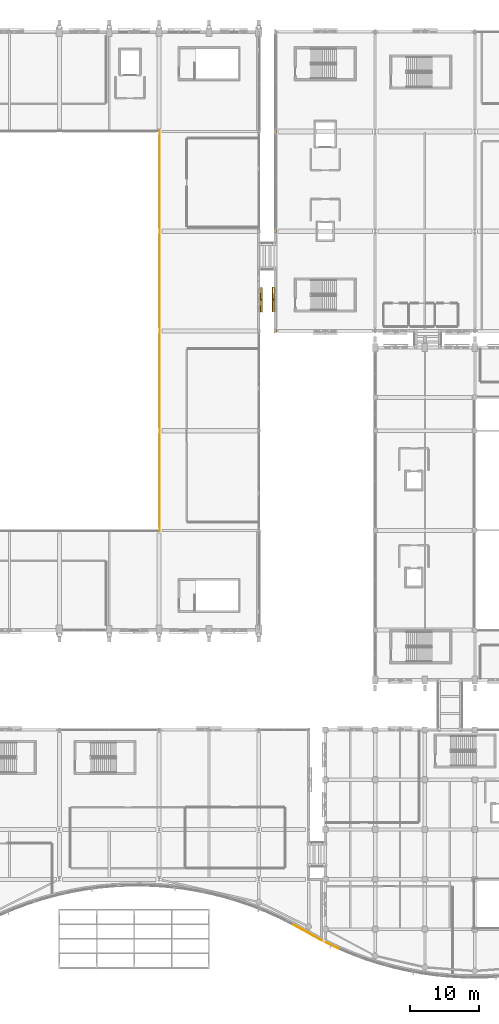
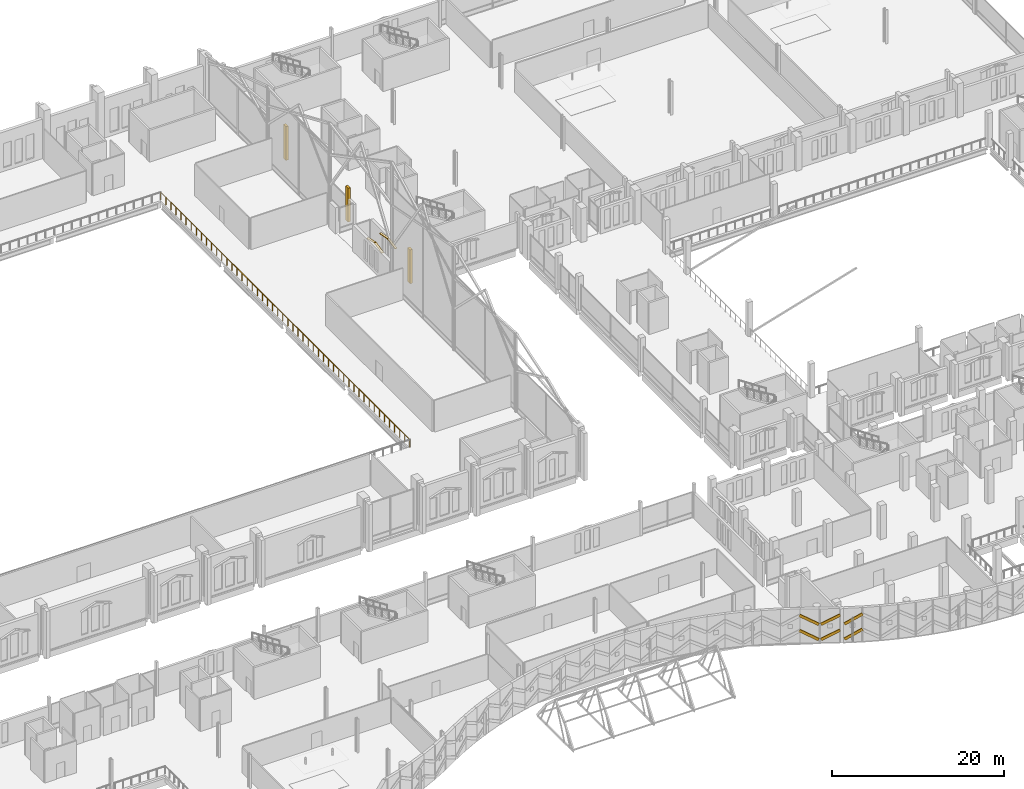
# One storey, part 203 of 220: 13 coverings, 1 railing.
"""IFC4 building model written with IfcOpenShell, lengths in metres."""

from ifc_helpers import new_model, si_unit, direction, frame, origin, origin_2d, place, context, subcontext, project, spatial, polyline, circle, outline, extrude, material, layer, layer_set, type_object, element, save


model = new_model("IFC4")

# Units and contexts
model_context = context("Model", 3, precision=1e-05, world=origin(), true_north=direction((0.0, 1.0)))
body_context = subcontext(model_context, "Body", "Model", "MODEL_VIEW")
ifc_project = project(units=[si_unit("LENGTHUNIT", "METRE"), si_unit("AREAUNIT", "SQUARE_METRE"), si_unit("VOLUMEUNIT", "CUBIC_METRE"), si_unit("PLANEANGLEUNIT", "RADIAN"), si_unit("MASSUNIT", "GRAM", prefix="KILO")], contexts=[model_context])

# Site, building, storey
site_placement = place(None, origin())
site = spatial("IfcSite", under=ifc_project, at=site_placement, CompositionType="ELEMENT")
building_placement = place(site_placement, origin())
building = spatial("IfcBuilding", under=site, at=building_placement, Name="Cendralis Lancet Convention Centre", CompositionType="ELEMENT")
storey_placement = place(building_placement, frame((0.0, 0.0, 5.39990234375)))
storey = spatial("IfcBuildingStorey", under=building, at=storey_placement, Name="L01", CompositionType="ELEMENT", Elevation=5.39990234375)

# Coverings
ifc_material_1 = material(Name="Warm buff sandstone chevron cassette", Category="masonry")
ifc_layer_1 = layer(ifc_material_1, 0.06005859375, Name="Warm buff sandstone chevron cassette")
ifc_layer_set_1 = layer_set([ifc_layer_1], Name="Warm buff sandstone chevron cassette")
covering_type_1 = type_object("IfcCoveringType", Name="ARC-CV-CLAD1", PredefinedType="CLADDING", material=ifc_layer_set_1)
covering_1_placement = place(storey_placement, frame((127.493896484375, 7.744873046875, 1.9501953125), z_axis=(0.43519160161, -0.24701564122, 0.86578954884), x_axis=(0.752668265034, -0.427880952395, -0.500408206756)))
element("IfcCovering", 1, at=covering_1_placement, inside=storey, type_object=covering_type_1, Name="L01 Diagonal Stone Chevron Relief CL-ST1 #0379", PredefinedType="CLADDING", context=body_context, shape_type="SweptSolid", body=[
    extrude(outline(polyline([(0.0, 0.0), (2.597884719698433, -4.85722573273506e-17), (2.5979129642696104, 0.11010524008823802), (-0.00015551232946595106, 0.10998461911392274), (0.0, 0.0)])), origin(), (0.0, 0.0, -1.0), 0.360107421875),
])
covering_2_placement = place(storey_placement, frame((129.523681640625, 6.592041015625, 0.650146484375), z_axis=(-0.443383844109, 0.240726076979, 0.8634012524), x_axis=(0.758529479804, -0.412425534048, 0.504517796647)))
element("IfcCovering", 2, at=covering_2_placement, inside=storey, type_object=covering_type_1, Name="L01 Diagonal Stone Chevron Relief CL-ST1 #0385", PredefinedType="CLADDING", context=body_context, shape_type="SweptSolid", body=[
    extrude(outline(polyline([(0.0, 0.0), (2.576814607462595, -5.898059818321144e-17), (2.57675682588909, 0.11000992383021563), (-5.7781573504639416e-05, 0.11000992383021567), (0.0, 0.0)])), origin(), (0.0, 0.0, -1.0), 0.360107421875),
])
covering_3_placement = place(storey_placement, frame((131.922607421875, 5.303466796875, 0.650146484375), z_axis=(-0.475722680039, 0.225588396185, 0.85017516266), x_axis=(0.768146115282, -0.364347848476, 0.526499943863)))
element("IfcCovering", 3, at=covering_3_placement, inside=storey, type_object=covering_type_1, Name="L01 Diagonal Stone Chevron Relief CL-ST1 #0391", PredefinedType="CLADDING", context=body_context, shape_type="SweptSolid", body=[
    extrude(outline(polyline([(0.0, 0.0), (2.469228806721707, -3.105561597813167e-17), (2.46921968219033, 0.10997119228407112), (-9.124531377482925e-06, 0.1099711922840711), (0.0, 0.0)])), origin(), (0.0, 0.0, -1.0), 0.360107421875),
])
for number, where, z_axis, x_axis, name in (
    (4, (122.8701171875, 99.852783203125, 3.27001953125), (0.0, 0.214866981087, 0.97664332304), (-1.0, 0.0, 0.0), "L01 Gothic Pointed Lancet Hood-Mould #0071L"),
    (5, (122.8701171875, 98.0830078125, 3.655029296875), (0.0, -0.214866981087, 0.97664332304), (-1.0, 0.0, 0.0), "L01 Gothic Pointed Lancet Hood-Mould #0072R"),
):
    element("IfcCovering", number, at=place(storey_placement, frame(where, z_axis=z_axis, x_axis=x_axis)), inside=storey, type_object=covering_type_1, Name=name, PredefinedType="CLADDING", context=body_context, shape_type="SweptSolid", body=[
        extrude(outline(polyline([(0.0, 0.0), (0.28515625, 0.0), (0.28515625, 1.7918517013488082), (0.0, 1.7918517013488082), (0.0, 0.0)])), origin(), (0.0, 0.0, -1.0), 0.090087890625),
    ])
covering_4_placement = place(storey_placement, frame((124.360107421875, 96.341552734375, 3.27001953125), z_axis=(0.0, -0.183932374671, 0.982938900211), x_axis=(1.0, 0.0, 0.0)))
element("IfcCovering", 6, at=covering_4_placement, inside=storey, type_object=covering_type_1, Name="L01 Gothic Pointed Lancet Hood-Mould #0203L", PredefinedType="CLADDING", context=body_context, shape_type="SweptSolid", body=[
    extrude(outline(polyline([(0.0, 0.0), (0.284912109375, 0.0), (0.284912109375, 1.8211091880847667), (0.0, 1.8211091880847667), (0.0, 0.0)])), origin(), (0.0, 0.0, -1.0), 0.090087890625),
])
covering_5_placement = place(storey_placement, frame((124.360107421875, 98.151611328125, 3.60498046875), z_axis=(0.0, 0.183956615362, 0.982934363864), x_axis=(1.0, 0.0, 0.0)))
element("IfcCovering", 7, at=covering_5_placement, inside=storey, type_object=covering_type_1, Name="L01 Gothic Pointed Lancet Hood-Mould #0204R", PredefinedType="CLADDING", context=body_context, shape_type="SweptSolid", body=[
    extrude(outline(polyline([(0.0, 0.0), (0.284912109375, 0.0), (0.284912109375, 1.8208692133210493), (0.0, 1.8208692133210493), (0.0, 0.0)])), origin(), (0.0, 0.0, -1.0), 0.090087890625),
])
covering_6_placement = place(storey_placement, origin())
element("IfcCovering", 8, at=covering_6_placement, inside=storey, type_object=covering_type_1, Name="Exterior Column Stone Fire-Casing L01 #033", PredefinedType="CLADDING", context=body_context, shape_type="SweptSolid", body=[
    extrude(outline(polyline([(124.637939453125, 93.31298828125), (124.9619140625, 93.31298828125), (124.9619140625, 93.886962890625), (124.637939453125, 93.886962890625), (124.637939453125, 93.31298828125)])), origin(), (0.0, 0.0, 1.0), 4.800048828125),
])
covering_7_placement = place(storey_placement, origin())
element("IfcCovering", 9, at=covering_7_placement, inside=storey, type_object=covering_type_1, Name="Exterior Column Stone Fire-Casing L01 #036", PredefinedType="CLADDING", context=body_context, shape_type="SweptSolid", body=[
    extrude(outline(polyline([(124.637939453125, 107.712890625), (124.9619140625, 107.712890625), (124.9619140625, 108.287109375), (124.637939453125, 108.287109375), (124.637939453125, 107.712890625)])), origin(), (0.0, 0.0, 1.0), 4.800048828125),
])
covering_8_placement = place(storey_placement, origin())
element("IfcCovering", 10, at=covering_8_placement, inside=storey, type_object=covering_type_1, Name="Exterior Column Stone Fire-Casing L01 #039", PredefinedType="CLADDING", context=body_context, shape_type="SweptSolid", body=[
    extrude(outline(polyline([(124.637939453125, 122.113037109375), (124.9619140625, 122.113037109375), (124.9619140625, 122.68701171875), (124.637939453125, 122.68701171875), (124.637939453125, 122.113037109375)])), origin(), (0.0, 0.0, 1.0), 4.800048828125),
])
ifc_material_2 = material(Name="Dark Andean slate chevron cassette", Category="masonry")
ifc_layer_2 = layer(ifc_material_2, 0.06005859375, Name="Dark Andean slate chevron cassette")
ifc_layer_set_2 = layer_set([ifc_layer_2], Name="Dark Andean slate chevron cassette")
covering_type_2 = type_object("IfcCoveringType", Name="ARC-CV-CLAD2", PredefinedType="CLADDING", material=ifc_layer_set_2)
covering_9_placement = place(storey_placement, frame((127.493896484375, 7.744873046875, 4.10009765625), z_axis=(0.43519160161, -0.24701564122, 0.86578954884), x_axis=(0.752668265034, -0.427880952395, -0.500408206756)))
element("IfcCovering", 11, at=covering_9_placement, inside=storey, type_object=covering_type_2, Name="L01 Diagonal Stone Chevron Relief CL-ST2 #0380", PredefinedType="CLADDING", context=body_context, shape_type="SweptSolid", body=[
    extrude(outline(polyline([(0.0, 0.0), (2.597884719698433, -4.85722573273506e-17), (2.5979129642696104, 0.11010524008823802), (-0.00015551232946595106, 0.10998461911392274), (0.0, 0.0)])), origin(), (0.0, 0.0, -1.0), 0.360107421875),
])
covering_10_placement = place(storey_placement, frame((129.523681640625, 6.592041015625, 2.800048828125), z_axis=(-0.443383844109, 0.240726076979, 0.8634012524), x_axis=(0.758529479804, -0.412425534048, 0.504517796647)))
element("IfcCovering", 12, at=covering_10_placement, inside=storey, type_object=covering_type_2, Name="L01 Diagonal Stone Chevron Relief CL-ST2 #0386", PredefinedType="CLADDING", context=body_context, shape_type="SweptSolid", body=[
    extrude(outline(polyline([(0.0, 0.0), (2.576814607462595, -5.898059818321144e-17), (2.57675682588909, 0.11000992383021563), (-5.7781573504639416e-05, 0.11000992383021567), (0.0, 0.0)])), origin(), (0.0, 0.0, -1.0), 0.360107421875),
])
covering_11_placement = place(storey_placement, frame((131.922607421875, 5.303466796875, 2.800048828125), z_axis=(-0.475722680039, 0.225588396185, 0.85017516266), x_axis=(0.768146115282, -0.364347848476, 0.526499943863)))
element("IfcCovering", 13, at=covering_11_placement, inside=storey, type_object=covering_type_2, Name="L01 Diagonal Stone Chevron Relief CL-ST2 #0392", PredefinedType="CLADDING", context=body_context, shape_type="SweptSolid", body=[
    extrude(outline(polyline([(0.0, 0.0), (2.469228806721707, -3.105561597813167e-17), (2.46921968219033, 0.10997119228407112), (-9.124531377482925e-06, 0.1099711922840711), (0.0, 0.0)])), origin(), (0.0, 0.0, -1.0), 0.360107421875),
])

# Railing
ifc_material_3 = material(Name="Steel S355", Category="steel")
railing_type = type_object("IfcRailingType", Name="ARC-RL-IG01", PredefinedType="GUARDRAIL", material=ifc_material_3)
railing_placement = place(storey_placement, frame((108.10009765625, 64.699951171875, 0.0)))
element("IfcRailing", 14, at=railing_placement, inside=storey, type_object=railing_type, Name="L01 Atrium Void Guardrail GD-IN1 #002", PredefinedType="GUARDRAIL", context=body_context, shape_type="SweptSolid", body=[
    extrude(circle(Radius=0.02392578125, at=origin_2d()), frame((0.0, 0.0, 1.076171875), z_axis=(0.0, 1.0, 0.0), x_axis=(-1.0, 0.0, 0.0)), (0.0, 0.0, 1.0), 57.800048828125),
    extrude(circle(Radius=0.02099609375, at=origin_2d()), origin(), (0.0, 0.0, 1.0), 1.052001953125),
    extrude(circle(Radius=0.02099609375, at=origin_2d()), frame((0.0, 1.1796875, 0.0)), (0.0, 0.0, 1.0), 1.052001953125),
    extrude(circle(Radius=0.02099609375, at=origin_2d()), frame((0.0, 2.359130859375, 0.0)), (0.0, 0.0, 1.0), 1.052001953125),
    extrude(circle(Radius=0.02099609375, at=origin_2d()), frame((0.0, 3.538818359375, 0.0)), (0.0, 0.0, 1.0), 1.052001953125),
    extrude(circle(Radius=0.02099609375, at=origin_2d()), frame((0.0, 4.71826171875, 0.0)), (0.0, 0.0, 1.0), 1.052001953125),
    extrude(circle(Radius=0.02099609375, at=origin_2d()), frame((0.0, 5.89794921875, 0.0)), (0.0, 0.0, 1.0), 1.052001953125),
    extrude(circle(Radius=0.02099609375, at=origin_2d()), frame((0.0, 7.07763671875, 0.0)), (0.0, 0.0, 1.0), 1.052001953125),
    extrude(circle(Radius=0.02099609375, at=origin_2d()), frame((0.0, 8.257080078125, 0.0)), (0.0, 0.0, 1.0), 1.052001953125),
    extrude(circle(Radius=0.02099609375, at=origin_2d()), frame((0.0, 9.436767578125, 0.0)), (0.0, 0.0, 1.0), 1.052001953125),
    extrude(circle(Radius=0.02099609375, at=origin_2d()), frame((0.0, 10.616455078125, 0.0)), (0.0, 0.0, 1.0), 1.052001953125),
    extrude(circle(Radius=0.02099609375, at=origin_2d()), frame((0.0, 11.7958984375, 0.0)), (0.0, 0.0, 1.0), 1.052001953125),
    extrude(circle(Radius=0.02099609375, at=origin_2d()), frame((0.0, 12.9755859375, 0.0)), (0.0, 0.0, 1.0), 1.052001953125),
    extrude(circle(Radius=0.02099609375, at=origin_2d()), frame((0.0, 14.155029296875, 0.0)), (0.0, 0.0, 1.0), 1.052001953125),
    extrude(circle(Radius=0.02099609375, at=origin_2d()), frame((0.0, 15.334716796875, 0.0)), (0.0, 0.0, 1.0), 1.052001953125),
    extrude(circle(Radius=0.02099609375, at=origin_2d()), frame((0.0, 16.514404296875, 0.0)), (0.0, 0.0, 1.0), 1.052001953125),
    extrude(circle(Radius=0.02099609375, at=origin_2d()), frame((0.0, 17.69384765625, 0.0)), (0.0, 0.0, 1.0), 1.052001953125),
    extrude(circle(Radius=0.02099609375, at=origin_2d()), frame((0.0, 18.87353515625, 0.0)), (0.0, 0.0, 1.0), 1.052001953125),
    extrude(circle(Radius=0.02099609375, at=origin_2d()), frame((0.0, 20.052978515625, 0.0)), (0.0, 0.0, 1.0), 1.052001953125),
    extrude(circle(Radius=0.02099609375, at=origin_2d()), frame((0.0, 21.232666015625, 0.0)), (0.0, 0.0, 1.0), 1.052001953125),
    extrude(circle(Radius=0.02099609375, at=origin_2d()), frame((0.0, 22.412353515625, 0.0)), (0.0, 0.0, 1.0), 1.052001953125),
    extrude(circle(Radius=0.02099609375, at=origin_2d()), frame((0.0, 23.591796875, 0.0)), (0.0, 0.0, 1.0), 1.052001953125),
    extrude(circle(Radius=0.02099609375, at=origin_2d()), frame((0.0, 24.771484375, 0.0)), (0.0, 0.0, 1.0), 1.052001953125),
    extrude(circle(Radius=0.02099609375, at=origin_2d()), frame((0.0, 25.950927734375, 0.0)), (0.0, 0.0, 1.0), 1.052001953125),
    extrude(circle(Radius=0.02099609375, at=origin_2d()), frame((0.0, 27.130615234375, 0.0)), (0.0, 0.0, 1.0), 1.052001953125),
    extrude(circle(Radius=0.02099609375, at=origin_2d()), frame((0.0, 28.310302734375, 0.0)), (0.0, 0.0, 1.0), 1.052001953125),
    extrude(circle(Radius=0.02099609375, at=origin_2d()), frame((0.0, 29.48974609375, 0.0)), (0.0, 0.0, 1.0), 1.052001953125),
    extrude(circle(Radius=0.02099609375, at=origin_2d()), frame((0.0, 30.66943359375, 0.0)), (0.0, 0.0, 1.0), 1.052001953125),
    extrude(circle(Radius=0.02099609375, at=origin_2d()), frame((0.0, 31.84912109375, 0.0)), (0.0, 0.0, 1.0), 1.052001953125),
    extrude(circle(Radius=0.02099609375, at=origin_2d()), frame((0.0, 33.028564453125, 0.0)), (0.0, 0.0, 1.0), 1.052001953125),
    extrude(circle(Radius=0.02099609375, at=origin_2d()), frame((0.0, 34.208251953125, 0.0)), (0.0, 0.0, 1.0), 1.052001953125),
    extrude(circle(Radius=0.02099609375, at=origin_2d()), frame((0.0, 35.3876953125, 0.0)), (0.0, 0.0, 1.0), 1.052001953125),
    extrude(circle(Radius=0.02099609375, at=origin_2d()), frame((0.0, 36.5673828125, 0.0)), (0.0, 0.0, 1.0), 1.052001953125),
    extrude(circle(Radius=0.02099609375, at=origin_2d()), frame((0.0, 37.7470703125, 0.0)), (0.0, 0.0, 1.0), 1.052001953125),
    extrude(circle(Radius=0.02099609375, at=origin_2d()), frame((0.0, 38.926513671875, 0.0)), (0.0, 0.0, 1.0), 1.052001953125),
    extrude(circle(Radius=0.02099609375, at=origin_2d()), frame((0.0, 40.106201171875, 0.0)), (0.0, 0.0, 1.0), 1.052001953125),
    extrude(circle(Radius=0.02099609375, at=origin_2d()), frame((0.0, 41.28564453125, 0.0)), (0.0, 0.0, 1.0), 1.052001953125),
    extrude(circle(Radius=0.02099609375, at=origin_2d()), frame((0.0, 42.46533203125, 0.0)), (0.0, 0.0, 1.0), 1.052001953125),
    extrude(circle(Radius=0.02099609375, at=origin_2d()), frame((0.0, 43.64501953125, 0.0)), (0.0, 0.0, 1.0), 1.052001953125),
    extrude(circle(Radius=0.02099609375, at=origin_2d()), frame((0.0, 44.824462890625, 0.0)), (0.0, 0.0, 1.0), 1.052001953125),
    extrude(circle(Radius=0.02099609375, at=origin_2d()), frame((0.0, 46.004150390625, 0.0)), (0.0, 0.0, 1.0), 1.052001953125),
    extrude(circle(Radius=0.02099609375, at=origin_2d()), frame((0.0, 47.18359375, 0.0)), (0.0, 0.0, 1.0), 1.052001953125),
    extrude(circle(Radius=0.02099609375, at=origin_2d()), frame((0.0, 48.36328125, 0.0)), (0.0, 0.0, 1.0), 1.052001953125),
    extrude(circle(Radius=0.02099609375, at=origin_2d()), frame((0.0, 49.54296875, 0.0)), (0.0, 0.0, 1.0), 1.052001953125),
    extrude(circle(Radius=0.02099609375, at=origin_2d()), frame((0.0, 50.722412109375, 0.0)), (0.0, 0.0, 1.0), 1.052001953125),
    extrude(circle(Radius=0.02099609375, at=origin_2d()), frame((0.0, 51.902099609375, 0.0)), (0.0, 0.0, 1.0), 1.052001953125),
    extrude(circle(Radius=0.02099609375, at=origin_2d()), frame((0.0, 53.081787109375, 0.0)), (0.0, 0.0, 1.0), 1.052001953125),
    extrude(circle(Radius=0.02099609375, at=origin_2d()), frame((0.0, 54.26123046875, 0.0)), (0.0, 0.0, 1.0), 1.052001953125),
    extrude(circle(Radius=0.02099609375, at=origin_2d()), frame((0.0, 55.44091796875, 0.0)), (0.0, 0.0, 1.0), 1.052001953125),
    extrude(circle(Radius=0.02099609375, at=origin_2d()), frame((0.0, 56.620361328125, 0.0)), (0.0, 0.0, 1.0), 1.052001953125),
    extrude(circle(Radius=0.02099609375, at=origin_2d()), frame((0.0, 57.800048828125, 0.0)), (0.0, 0.0, 1.0), 1.052001953125),
])

save(model, "model.ifc")
